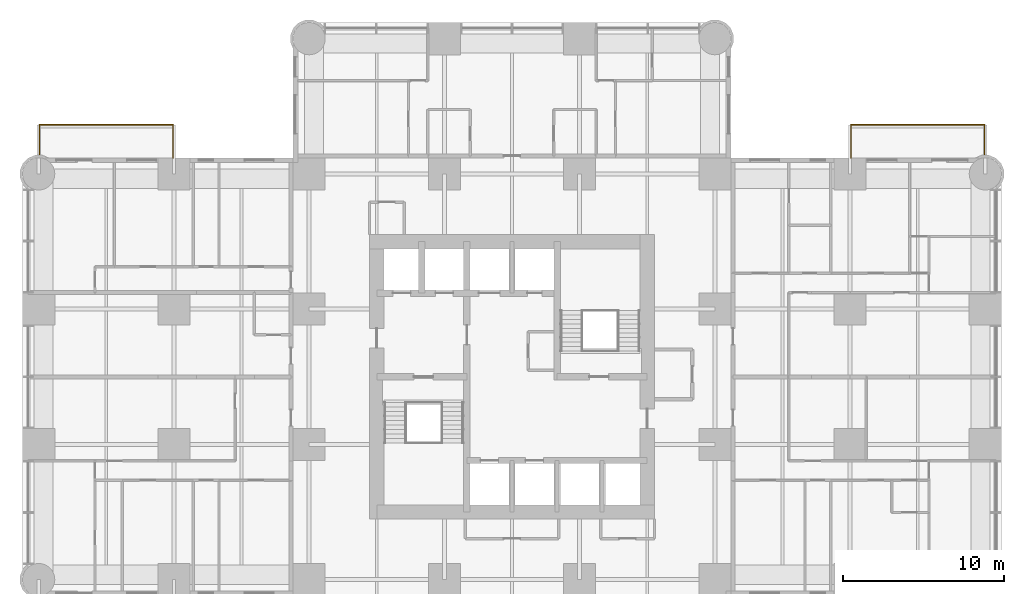
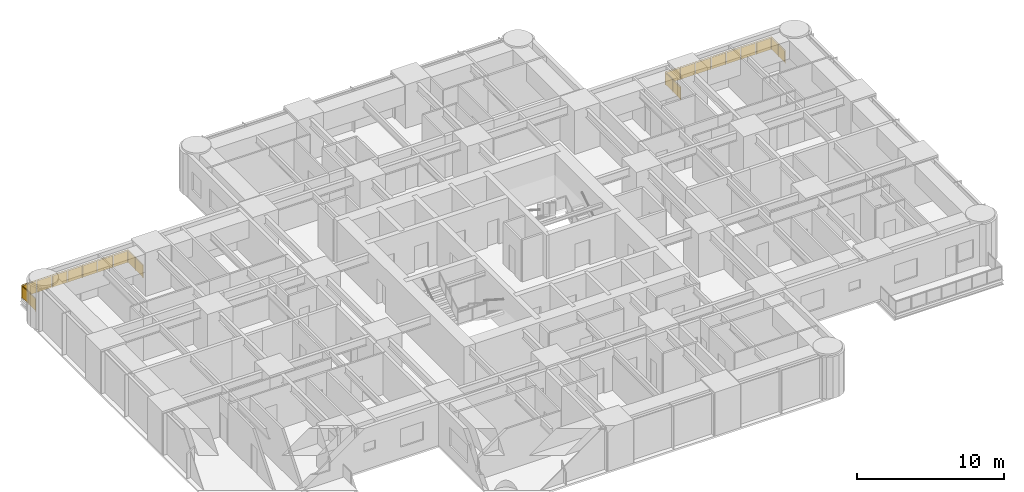
# One storey, part 14 of 14: 2 railings.
"""IFC4 building model written with IfcOpenShell, lengths in metres."""

import ifcopenshell
import ifcopenshell.guid

model = None  # the IFC model being written
_history = None  # IfcOwnerHistory: only IFC2X3 demands one
_inside = {}  # id of a spatial element -> (the spatial element, [elements in it])
_under = {}  # id of a project, library or spatial element -> (it, [spatial elements below it])
_declared = {}  # id of a project -> (the project, [libraries it declares])
_typed = {}  # id of a type object -> (the type object, [elements of that type])
_made_of = {}  # id of a material, layer set ... -> (it, [elements and type objects made of it])


def new_model(schema):
    """Start an empty IFC model of exactly this schema.

    Asked for "IFC4X3", IfcOpenShell would pick the latest addendum, in which some entities
    have other attributes; the version numbers below select the first issue.
    IFC2X3 requires an IfcOwnerHistory on every rooted entity: one is made here for all.
    """
    global model, _history
    if schema == "IFC4X3":
        model = ifcopenshell.file(schema_version=(4, 3, 0, 0))
    else:
        model = ifcopenshell.file(schema=schema)
    _inside.clear()
    _under.clear()
    _declared.clear()
    _typed.clear()
    _made_of.clear()
    _history = None
    if model.schema == "IFC2X3":
        org = make("IfcOrganization", Name="unknown")
        user = make(
            "IfcPersonAndOrganization",
            ThePerson=make("IfcPerson", FamilyName="unknown"),
            TheOrganization=org,
        )
        app = make(
            "IfcApplication",
            ApplicationDeveloper=org,
            Version="unknown",
            ApplicationFullName="unknown",
            ApplicationIdentifier="unknown",
        )
        _history = make(
            "IfcOwnerHistory",
            OwningUser=user,
            OwningApplication=app,
            ChangeAction="ADDED",
            CreationDate=0,
        )
    return model


def make(cls, **values):
    """One entity of the class cls with the attributes given. An attribute that is None is left unset."""
    return model.create_entity(
        cls, **{name: value for name, value in values.items() if value is not None}
    )


def rooted(cls, **values):
    """An entity with a GlobalId (a new one), such as an element, a storey or a relation."""
    return make(cls, GlobalId=ifcopenshell.guid.new(), OwnerHistory=_history, **values)


def si_unit(unit_type, name, prefix=None):
    """IfcSIUnit, for example si_unit("LENGTHUNIT", "METRE", prefix="MILLI")."""
    return make("IfcSIUnit", UnitType=unit_type, Prefix=prefix, Name=name)


def assignment(units):
    """IfcUnitAssignment: the units of a project."""
    return None if units is None else make("IfcUnitAssignment", Units=units)


def point(xyz):
    """IfcCartesianPoint."""
    return None if xyz is None else make("IfcCartesianPoint", Coordinates=xyz)


def direction(xyz):
    """IfcDirection."""
    return None if xyz is None else make("IfcDirection", DirectionRatios=xyz)


def frame(location, z_axis=None, x_axis=None):
    """IfcAxis2Placement3D, a coordinate frame: its origin and axes. An axis left out is left unset."""
    return make(
        "IfcAxis2Placement3D",
        Location=point(location),
        Axis=direction(z_axis),
        RefDirection=direction(x_axis),
    )


def frame_2d(location, x_axis=None):
    """IfcAxis2Placement2D, a coordinate frame in the plane: its origin and x axis."""
    return make(
        "IfcAxis2Placement2D", Location=point(location), RefDirection=direction(x_axis)
    )


def origin():
    """The frame at (0, 0, 0) with its axes left unset."""
    return frame((0.0, 0.0, 0.0))


def origin_2d():
    """The frame at (0, 0) in the plane with its x axis left unset."""
    return frame_2d((0.0, 0.0))


def place(relative_to, where):
    """IfcLocalPlacement: puts the frame where relative to a parent placement (None: the world)."""
    return make(
        "IfcLocalPlacement", PlacementRelTo=relative_to, RelativePlacement=where
    )


def context(
    kind, dimensions, precision=None, world=None, true_north=None, identifier=None
):
    """IfcGeometricRepresentationContext, for example the 3D "Model" context."""
    return make(
        "IfcGeometricRepresentationContext",
        ContextIdentifier=identifier,
        ContextType=kind,
        CoordinateSpaceDimension=dimensions,
        Precision=precision,
        WorldCoordinateSystem=world,
        TrueNorth=true_north,
    )


def subcontext(parent, identifier, kind, view, scale=None):
    """IfcGeometricRepresentationSubContext, for example "Body" below "Model"."""
    return make(
        "IfcGeometricRepresentationSubContext",
        ContextIdentifier=identifier,
        ContextType=kind,
        ParentContext=parent,
        TargetScale=scale,
        TargetView=view,
    )


def project(units=None, contexts=None):
    """IfcProject with its units and contexts."""
    return rooted(
        "IfcProject",
        Name="project",
        RepresentationContexts=contexts,
        UnitsInContext=assignment(units),
    )


def spatial(cls, under=None, at=None, **own):
    """A site, building, storey or space (cls), placed at a placement, below another one or the project."""
    s = rooted(cls, ObjectPlacement=at, **own)
    if under is not None:
        _under.setdefault(under.id(), (under, []))[1].append(s)
    return s


def polyline(points):
    """IfcPolyline through the points."""
    return make("IfcPolyline", Points=[point(p) for p in points])


def profile(cls, at=None, kind="AREA", **sizes):
    """A parametric profile (cls). Its sizes go by their IFC names, for example OverallWidth=200.0."""
    return make(cls, ProfileType=kind, Position=at, **sizes)


def circle(**sizes):
    """IfcCircleProfileDef."""
    return profile("IfcCircleProfileDef", **sizes)


def outline(outer, holes=None, kind="AREA"):
    """IfcArbitraryClosedProfileDef: a profile drawn as a closed curve; with holes, ...WithVoids."""
    if holes is None:
        return make("IfcArbitraryClosedProfileDef", ProfileType=kind, OuterCurve=outer)
    return make(
        "IfcArbitraryProfileDefWithVoids",
        ProfileType=kind,
        OuterCurve=outer,
        InnerCurves=holes,
    )


def extrude(swept, where, along, depth):
    """IfcExtrudedAreaSolid: the profile swept, set in the frame where, extruded along a direction by depth."""
    return make(
        "IfcExtrudedAreaSolid",
        SweptArea=swept,
        Position=where,
        ExtrudedDirection=direction(along),
        Depth=depth,
    )


def shape(context_of_items, identifier, shape_type, items):
    """IfcShapeRepresentation: the items that make up one representation, for example the "Body"."""
    return make(
        "IfcShapeRepresentation",
        ContextOfItems=context_of_items,
        RepresentationIdentifier=identifier,
        RepresentationType=shape_type,
        Items=items,
    )


def material(Name=None, Category=None):
    """IfcMaterial."""
    return make("IfcMaterial", Name=Name, Category=Category)


def constituent(of_material, Name=None, Category=None, fraction=None):
    """IfcMaterialConstituent: one of the materials an element consists of."""
    return make(
        "IfcMaterialConstituent",
        Name=Name,
        Material=of_material,
        Fraction=fraction,
        Category=Category,
    )


def constituent_set(constituents=None, Name=None):
    """IfcMaterialConstituentSet."""
    return make(
        "IfcMaterialConstituentSet", Name=Name, MaterialConstituents=constituents
    )


def made_of(thing, what):
    """Note that an element or type object is made of a material, layer set ...; save() writes the relation."""
    if what is not None:
        _made_of.setdefault(what.id(), (what, []))[1].append(thing)
    return thing


def type_object(cls, material=None, **own):
    """A type object (cls), such as IfcWallType, which elements share."""
    return made_of(rooted(cls, **own), material)


def element(
    cls,
    number,
    at=None,
    inside=None,
    cuts=None,
    type_object=None,
    material=None,
    context=None,
    identifier="Body",
    shape_type=None,
    held_by="IfcProductDefinitionShape",
    body=None,
    shapes=None,
    **own,
):
    """One element of the class cls, such as IfcWall. Its Tag is "e" and its number.

    at: its placement. inside: the storey or other place that contains it. cuts: it is an
    opening in that element (IfcRelVoidsElement). A single representation is given by context,
    identifier, shape_type and body (its items); several are given by shapes. held_by: the class
    of the entity that holds the representations. save() writes the other relations.
    """
    e = rooted(cls, Tag="e%d" % number, ObjectPlacement=at, **own)
    if body is not None:
        shapes = [shape(context, identifier, shape_type, body)]
    if shapes is not None:
        e.Representation = make(held_by, Representations=shapes)
    if inside is not None:
        _inside.setdefault(inside.id(), (inside, []))[1].append(e)
    if cuts is not None:
        rooted(
            "IfcRelVoidsElement", RelatingBuildingElement=cuts, RelatedOpeningElement=e
        )
    if type_object is not None:
        _typed.setdefault(type_object.id(), (type_object, []))[1].append(e)
    return made_of(e, material)


def aggregate(whole, parts):
    """IfcRelAggregates: a whole, such as a stair, and the parts it consists of."""
    return rooted("IfcRelAggregates", RelatingObject=whole, RelatedObjects=parts)


def save(model, path):
    """Write the relations noted so far, then the file.

    IfcRelAggregates (storeys below a building ...), IfcRelContainedInSpatialStructure (elements
    in a storey), IfcRelDefinesByType, IfcRelAssociatesMaterial and IfcRelDeclares: one each for
    every whole, place, type object, material and project.
    """
    for whole, parts in _under.values():
        aggregate(whole, parts)
    for where, things in _inside.values():
        rooted(
            "IfcRelContainedInSpatialStructure",
            RelatedElements=things,
            RelatingStructure=where,
        )
    for kind, things in _typed.values():
        rooted("IfcRelDefinesByType", RelatedObjects=things, RelatingType=kind)
    for what, things in _made_of.values():
        rooted("IfcRelAssociatesMaterial", RelatedObjects=things, RelatingMaterial=what)
    for by, libraries in _declared.values():
        rooted("IfcRelDeclares", RelatingContext=by, RelatedDefinitions=libraries)
    model.write(path)


model = new_model("IFC4")

# Units and contexts
model_context = context("Model", 3, precision=1e-05, world=origin(), true_north=direction((0.0, 1.0)))
body_context = subcontext(model_context, "Body", "Model", "MODEL_VIEW")
ifc_project = project(units=[si_unit("LENGTHUNIT", "METRE"), si_unit("AREAUNIT", "SQUARE_METRE"), si_unit("VOLUMEUNIT", "CUBIC_METRE"), si_unit("PLANEANGLEUNIT", "RADIAN"), si_unit("MASSUNIT", "GRAM", prefix="KILO")], contexts=[model_context])

# Site, building, storey
site_placement = place(None, origin())
site = spatial("IfcSite", under=ifc_project, at=site_placement, CompositionType="ELEMENT")
building_placement = place(site_placement, origin())
building = spatial("IfcBuilding", under=site, at=building_placement, Name="Torre Alcanfor", CompositionType="ELEMENT")
storey_placement = place(building_placement, frame((0.0, 0.0, 112.5)))
storey = spatial("IfcBuildingStorey", under=building, at=storey_placement, Name="L28", CompositionType="ELEMENT", Elevation=112.5)

# Railings
ifc_material_1 = material(Name="Laminated safety glass", Category="glass")
ifc_constituent_1 = constituent(ifc_material_1, Name="Infill")
ifc_material_2 = material(Name="Stainless steel ASTM A554 Grade MT 316L tube", Category="steel")
ifc_constituent_2 = constituent(ifc_material_2, Name="Posts and rail")
ifc_constituent_set = constituent_set(constituents=[ifc_constituent_1, ifc_constituent_2], Name="Balcony guard glass 1100")
railing_type = type_object("IfcRailingType", Name="Balcony guard glass 1100", PredefinedType="BALUSTRADE", material=ifc_constituent_set)
railing_1_placement = place(storey_placement, frame((50.449951171875, 43.0, 0.0)))
element("IfcRailing", 1, at=railing_1_placement, inside=storey, type_object=railing_type, Name="Balcony guard L28-E1", PredefinedType="BALUSTRADE", context=body_context, shape_type="SweptSolid", body=[
    extrude(circle(Radius=0.02392578125, at=origin_2d()), frame((0.0, 0.0, 1.076171875), z_axis=(0.0, 1.0, 0.0), x_axis=(-1.0, 0.0, 0.0)), (0.0, 0.0, 1.0), 2.050048828125),
    extrude(circle(Radius=0.02392578125, at=origin_2d()), frame((0.0, 2.050048828125, 1.076171875), z_axis=(1.0, 0.0, 0.0), x_axis=(0.0, 1.0, 0.0)), (0.0, 0.0, 1.0), 8.300048828125),
    extrude(circle(Radius=0.02392578125, at=origin_2d()), frame((8.300048828125, 2.050048828125, 1.076171875), z_axis=(0.0, -1.0, 0.0), x_axis=(1.0, 0.0, 0.0)), (0.0, 0.0, 1.0), 1.869140625),
    extrude(circle(Radius=0.02099609375, at=origin_2d()), origin(), (0.0, 0.0, 1.0), 1.052001953125),
    extrude(circle(Radius=0.02099609375, at=origin_2d()), frame((0.0, 1.02490234375, 0.0)), (0.0, 0.0, 1.0), 1.052001953125),
    extrude(circle(Radius=0.02099609375, at=origin_2d()), frame((0.0, 2.050048828125, 0.0)), (0.0, 0.0, 1.0), 1.052001953125),
    extrude(circle(Radius=0.02099609375, at=origin_2d()), frame((1.185791015625, 2.050048828125, 0.0)), (0.0, 0.0, 1.0), 1.052001953125),
    extrude(circle(Radius=0.02099609375, at=origin_2d()), frame((2.371337890625, 2.050048828125, 0.0)), (0.0, 0.0, 1.0), 1.052001953125),
    extrude(circle(Radius=0.02099609375, at=origin_2d()), frame((3.55712890625, 2.050048828125, 0.0)), (0.0, 0.0, 1.0), 1.052001953125),
    extrude(circle(Radius=0.02099609375, at=origin_2d()), frame((4.742919921875, 2.050048828125, 0.0)), (0.0, 0.0, 1.0), 1.052001953125),
    extrude(circle(Radius=0.02099609375, at=origin_2d()), frame((5.9287109375, 2.050048828125, 0.0)), (0.0, 0.0, 1.0), 1.052001953125),
    extrude(circle(Radius=0.02099609375, at=origin_2d()), frame((7.1142578125, 2.050048828125, 0.0)), (0.0, 0.0, 1.0), 1.052001953125),
    extrude(circle(Radius=0.02099609375, at=origin_2d()), frame((8.300048828125, 2.050048828125, 0.0)), (0.0, 0.0, 1.0), 1.052001953125),
    extrude(circle(Radius=0.02099609375, at=origin_2d()), frame((8.300048828125, 1.115478515625, 0.0)), (0.0, 0.0, 1.0), 1.052001953125),
    extrude(circle(Radius=0.02099609375, at=origin_2d()), frame((8.300048828125, 0.180908203125, 0.0)), (0.0, 0.0, 1.0), 1.052001953125),
    extrude(outline(polyline([(0.041015625, 0.050048828125), (0.984130859375, 0.050048828125), (0.984130859375, 1.001953125), (0.041015625, 1.001953125), (0.041015625, 0.050048828125)])), frame((-0.005859375, 0.0, 0.0), z_axis=(1.0, 0.0, 0.0), x_axis=(0.0, 1.0, 0.0)), (0.0, 0.0, 1.0), 0.011962890625),
    extrude(outline(polyline([(1.06591796875, 0.050048828125), (2.009033203125, 0.050048828125), (2.009033203125, 1.001953125), (1.06591796875, 1.001953125), (1.06591796875, 0.050048828125)])), frame((-0.005859375, 0.0, 0.0), z_axis=(1.0, 0.0, 0.0), x_axis=(0.0, 1.0, 0.0)), (0.0, 0.0, 1.0), 0.011962890625),
    extrude(outline(polyline([(0.041015625, 0.050048828125), (1.144775390625, 0.050048828125), (1.144775390625, 1.001953125), (0.041015625, 1.001953125), (0.041015625, 0.050048828125)])), frame((0.0, 2.05615234375, 0.0), z_axis=(0.0, -1.0, 0.0), x_axis=(1.0, 0.0, 0.0)), (0.0, 0.0, 1.0), 0.011962890625),
    extrude(outline(polyline([(1.226806640625, 0.050048828125), (2.330322265625, 0.050048828125), (2.330322265625, 1.001953125), (1.226806640625, 1.001953125), (1.226806640625, 0.050048828125)])), frame((0.0, 2.05615234375, 0.0), z_axis=(0.0, -1.0, 0.0), x_axis=(1.0, 0.0, 0.0)), (0.0, 0.0, 1.0), 0.011962890625),
    extrude(outline(polyline([(2.412353515625, 0.050048828125), (3.51611328125, 0.050048828125), (3.51611328125, 1.001953125), (2.412353515625, 1.001953125), (2.412353515625, 0.050048828125)])), frame((0.0, 2.05615234375, 0.0), z_axis=(0.0, -1.0, 0.0), x_axis=(1.0, 0.0, 0.0)), (0.0, 0.0, 1.0), 0.011962890625),
    extrude(outline(polyline([(3.59814453125, 0.050048828125), (4.701904296875, 0.050048828125), (4.701904296875, 1.001953125), (3.59814453125, 1.001953125), (3.59814453125, 0.050048828125)])), frame((0.0, 2.05615234375, 0.0), z_axis=(0.0, -1.0, 0.0), x_axis=(1.0, 0.0, 0.0)), (0.0, 0.0, 1.0), 0.011962890625),
    extrude(outline(polyline([(4.783935546875, 0.050048828125), (5.8876953125, 0.050048828125), (5.8876953125, 1.001953125), (4.783935546875, 1.001953125), (4.783935546875, 0.050048828125)])), frame((0.0, 2.05615234375, 0.0), z_axis=(0.0, -1.0, 0.0), x_axis=(1.0, 0.0, 0.0)), (0.0, 0.0, 1.0), 0.011962890625),
    extrude(outline(polyline([(5.9697265625, 0.050048828125), (7.0732421875, 0.050048828125), (7.0732421875, 1.001953125), (5.9697265625, 1.001953125), (5.9697265625, 0.050048828125)])), frame((0.0, 2.05615234375, 0.0), z_axis=(0.0, -1.0, 0.0), x_axis=(1.0, 0.0, 0.0)), (0.0, 0.0, 1.0), 0.011962890625),
    extrude(outline(polyline([(7.1552734375, 0.050048828125), (8.259033203125, 0.050048828125), (8.259033203125, 1.001953125), (7.1552734375, 1.001953125), (7.1552734375, 0.050048828125)])), frame((0.0, 2.05615234375, 0.0), z_axis=(0.0, -1.0, 0.0), x_axis=(1.0, 0.0, 0.0)), (0.0, 0.0, 1.0), 0.011962890625),
    extrude(outline(polyline([(0.041015625, 0.050048828125), (0.8935546875, 0.050048828125), (0.8935546875, 1.001953125), (0.041015625, 1.001953125), (0.041015625, 0.050048828125)])), frame((8.30615234375, 2.050048828125, 0.0), z_axis=(-1.0, 0.0, 0.0), x_axis=(0.0, -1.0, 0.0)), (0.0, 0.0, 1.0), 0.011962890625),
    extrude(outline(polyline([(0.9755859375, 0.050048828125), (1.828125, 0.050048828125), (1.828125, 1.001953125), (0.9755859375, 1.001953125), (0.9755859375, 0.050048828125)])), frame((8.30615234375, 2.050048828125, 0.0), z_axis=(-1.0, 0.0, 0.0), x_axis=(0.0, -1.0, 0.0)), (0.0, 0.0, 1.0), 0.011962890625),
])
railing_2_placement = place(storey_placement, frame((8.35009765625, 43.0, 0.0)))
element("IfcRailing", 2, at=railing_2_placement, inside=storey, type_object=railing_type, Name="Balcony guard L28-W2", PredefinedType="BALUSTRADE", context=body_context, shape_type="SweptSolid", body=[
    extrude(circle(Radius=0.02392578125, at=origin_2d()), frame((0.0, 0.0, 1.076171875), z_axis=(0.0, 1.0, 0.0), x_axis=(-1.0, 0.0, 0.0)), (0.0, 0.0, 1.0), 2.050048828125),
    extrude(circle(Radius=0.02392578125, at=origin_2d()), frame((0.0, 2.050048828125, 1.076171875), z_axis=(-1.0, 0.0, 0.0), x_axis=(0.0, -1.0, 0.0)), (0.0, 0.0, 1.0), 8.300048828125),
    extrude(circle(Radius=0.02392578125, at=origin_2d()), frame((-8.300048828125, 2.050048828125, 1.076171875), z_axis=(0.0, -1.0, 0.0), x_axis=(1.0, 0.0, 0.0)), (0.0, 0.0, 1.0), 1.869140625),
    extrude(circle(Radius=0.02099609375, at=origin_2d()), origin(), (0.0, 0.0, 1.0), 1.052001953125),
    extrude(circle(Radius=0.02099609375, at=origin_2d()), frame((0.0, 1.02490234375, 0.0)), (0.0, 0.0, 1.0), 1.052001953125),
    extrude(circle(Radius=0.02099609375, at=origin_2d()), frame((0.0, 2.050048828125, 0.0)), (0.0, 0.0, 1.0), 1.052001953125),
    extrude(circle(Radius=0.02099609375, at=origin_2d()), frame((-1.185791015625, 2.050048828125, 0.0)), (0.0, 0.0, 1.0), 1.052001953125),
    extrude(circle(Radius=0.02099609375, at=origin_2d()), frame((-2.371337890625, 2.050048828125, 0.0)), (0.0, 0.0, 1.0), 1.052001953125),
    extrude(circle(Radius=0.02099609375, at=origin_2d()), frame((-3.55712890625, 2.050048828125, 0.0)), (0.0, 0.0, 1.0), 1.052001953125),
    extrude(circle(Radius=0.02099609375, at=origin_2d()), frame((-4.742919921875, 2.050048828125, 0.0)), (0.0, 0.0, 1.0), 1.052001953125),
    extrude(circle(Radius=0.02099609375, at=origin_2d()), frame((-5.9287109375, 2.050048828125, 0.0)), (0.0, 0.0, 1.0), 1.052001953125),
    extrude(circle(Radius=0.02099609375, at=origin_2d()), frame((-7.1142578125, 2.050048828125, 0.0)), (0.0, 0.0, 1.0), 1.052001953125),
    extrude(circle(Radius=0.02099609375, at=origin_2d()), frame((-8.300048828125, 2.050048828125, 0.0)), (0.0, 0.0, 1.0), 1.052001953125),
    extrude(circle(Radius=0.02099609375, at=origin_2d()), frame((-8.300048828125, 1.115478515625, 0.0)), (0.0, 0.0, 1.0), 1.052001953125),
    extrude(circle(Radius=0.02099609375, at=origin_2d()), frame((-8.300048828125, 0.180908203125, 0.0)), (0.0, 0.0, 1.0), 1.052001953125),
    extrude(outline(polyline([(0.041015625, 0.050048828125), (0.984130859375, 0.050048828125), (0.984130859375, 1.001953125), (0.041015625, 1.001953125), (0.041015625, 0.050048828125)])), frame((-0.005859375, 0.0, 0.0), z_axis=(1.0, 0.0, 0.0), x_axis=(0.0, 1.0, 0.0)), (0.0, 0.0, 1.0), 0.011962890625),
    extrude(outline(polyline([(1.06591796875, 0.050048828125), (2.009033203125, 0.050048828125), (2.009033203125, 1.001953125), (1.06591796875, 1.001953125), (1.06591796875, 0.050048828125)])), frame((-0.005859375, 0.0, 0.0), z_axis=(1.0, 0.0, 0.0), x_axis=(0.0, 1.0, 0.0)), (0.0, 0.0, 1.0), 0.011962890625),
    extrude(outline(polyline([(0.041015625, 0.050048828125), (1.144775390625, 0.050048828125), (1.144775390625, 1.001953125), (0.041015625, 1.001953125), (0.041015625, 0.050048828125)])), frame((0.0, 2.0439453125, 0.0), z_axis=(0.0, 1.0, 0.0), x_axis=(-1.0, 0.0, 0.0)), (0.0, 0.0, 1.0), 0.011962890625),
    extrude(outline(polyline([(1.226806640625, 0.050048828125), (2.330322265625, 0.050048828125), (2.330322265625, 1.001953125), (1.226806640625, 1.001953125), (1.226806640625, 0.050048828125)])), frame((0.0, 2.0439453125, 0.0), z_axis=(0.0, 1.0, 0.0), x_axis=(-1.0, 0.0, 0.0)), (0.0, 0.0, 1.0), 0.011962890625),
    extrude(outline(polyline([(2.412353515625, 0.050048828125), (3.51611328125, 0.050048828125), (3.51611328125, 1.001953125), (2.412353515625, 1.001953125), (2.412353515625, 0.050048828125)])), frame((0.0, 2.0439453125, 0.0), z_axis=(0.0, 1.0, 0.0), x_axis=(-1.0, 0.0, 0.0)), (0.0, 0.0, 1.0), 0.011962890625),
    extrude(outline(polyline([(3.59814453125, 0.050048828125), (4.701904296875, 0.050048828125), (4.701904296875, 1.001953125), (3.59814453125, 1.001953125), (3.59814453125, 0.050048828125)])), frame((0.0, 2.0439453125, 0.0), z_axis=(0.0, 1.0, 0.0), x_axis=(-1.0, 0.0, 0.0)), (0.0, 0.0, 1.0), 0.011962890625),
    extrude(outline(polyline([(4.783935546875, 0.050048828125), (5.8876953125, 0.050048828125), (5.8876953125, 1.001953125), (4.783935546875, 1.001953125), (4.783935546875, 0.050048828125)])), frame((0.0, 2.0439453125, 0.0), z_axis=(0.0, 1.0, 0.0), x_axis=(-1.0, 0.0, 0.0)), (0.0, 0.0, 1.0), 0.011962890625),
    extrude(outline(polyline([(5.9697265625, 0.050048828125), (7.0732421875, 0.050048828125), (7.0732421875, 1.001953125), (5.9697265625, 1.001953125), (5.9697265625, 0.050048828125)])), frame((0.0, 2.0439453125, 0.0), z_axis=(0.0, 1.0, 0.0), x_axis=(-1.0, 0.0, 0.0)), (0.0, 0.0, 1.0), 0.011962890625),
    extrude(outline(polyline([(7.1552734375, 0.050048828125), (8.259033203125, 0.050048828125), (8.259033203125, 1.001953125), (7.1552734375, 1.001953125), (7.1552734375, 0.050048828125)])), frame((0.0, 2.0439453125, 0.0), z_axis=(0.0, 1.0, 0.0), x_axis=(-1.0, 0.0, 0.0)), (0.0, 0.0, 1.0), 0.011962890625),
    extrude(outline(polyline([(0.041015625, 0.050048828125), (0.8935546875, 0.050048828125), (0.8935546875, 1.001953125), (0.041015625, 1.001953125), (0.041015625, 0.050048828125)])), frame((-8.2939453125, 2.050048828125, 0.0), z_axis=(-1.0, 0.0, 0.0), x_axis=(0.0, -1.0, 0.0)), (0.0, 0.0, 1.0), 0.011962890625),
    extrude(outline(polyline([(0.9755859375, 0.050048828125), (1.828125, 0.050048828125), (1.828125, 1.001953125), (0.9755859375, 1.001953125), (0.9755859375, 0.050048828125)])), frame((-8.2939453125, 2.050048828125, 0.0), z_axis=(-1.0, 0.0, 0.0), x_axis=(0.0, -1.0, 0.0)), (0.0, 0.0, 1.0), 0.011962890625),
])

save(model, "model.ifc")
